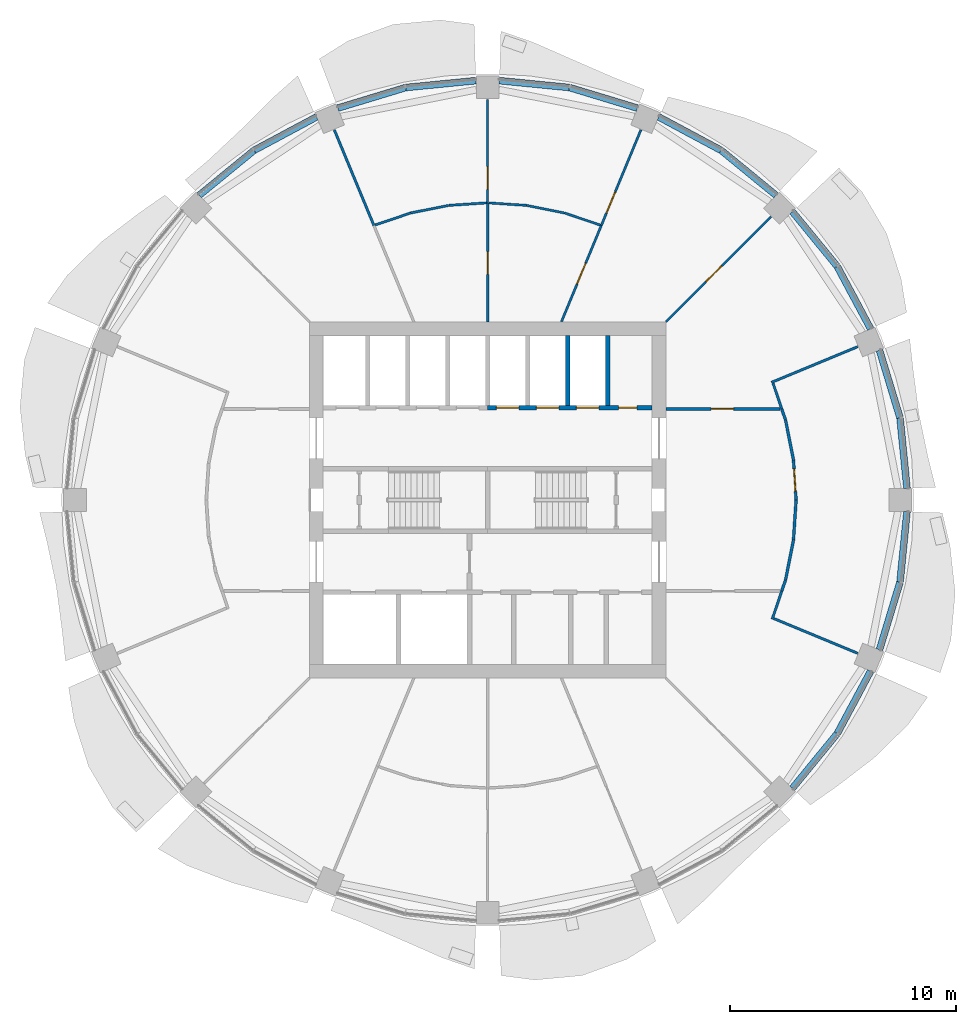
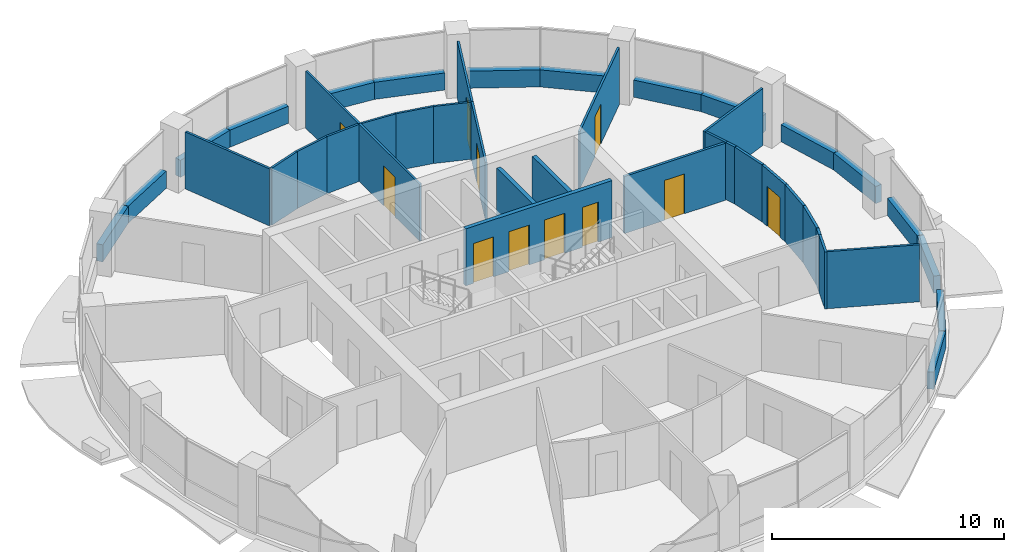
# One storey, part 10 of 15: 42 walls, 11 doors, 11 openings.
"""IFC4 building model written with IfcOpenShell, lengths in metres."""

import ifcopenshell
import ifcopenshell.guid

model = None  # the IFC model being written
_history = None  # IfcOwnerHistory: only IFC2X3 demands one
_inside = {}  # id of a spatial element -> (the spatial element, [elements in it])
_under = {}  # id of a project, library or spatial element -> (it, [spatial elements below it])
_declared = {}  # id of a project -> (the project, [libraries it declares])
_typed = {}  # id of a type object -> (the type object, [elements of that type])
_made_of = {}  # id of a material, layer set ... -> (it, [elements and type objects made of it])


def new_model(schema):
    """Start an empty IFC model of exactly this schema.

    Asked for "IFC4X3", IfcOpenShell would pick the latest addendum, in which some entities
    have other attributes; the version numbers below select the first issue.
    IFC2X3 requires an IfcOwnerHistory on every rooted entity: one is made here for all.
    """
    global model, _history
    if schema == "IFC4X3":
        model = ifcopenshell.file(schema_version=(4, 3, 0, 0))
    else:
        model = ifcopenshell.file(schema=schema)
    _inside.clear()
    _under.clear()
    _declared.clear()
    _typed.clear()
    _made_of.clear()
    _history = None
    if model.schema == "IFC2X3":
        org = make("IfcOrganization", Name="unknown")
        user = make(
            "IfcPersonAndOrganization",
            ThePerson=make("IfcPerson", FamilyName="unknown"),
            TheOrganization=org,
        )
        app = make(
            "IfcApplication",
            ApplicationDeveloper=org,
            Version="unknown",
            ApplicationFullName="unknown",
            ApplicationIdentifier="unknown",
        )
        _history = make(
            "IfcOwnerHistory",
            OwningUser=user,
            OwningApplication=app,
            ChangeAction="ADDED",
            CreationDate=0,
        )
    return model


def make(cls, **values):
    """One entity of the class cls with the attributes given. An attribute that is None is left unset."""
    return model.create_entity(
        cls, **{name: value for name, value in values.items() if value is not None}
    )


def rooted(cls, **values):
    """An entity with a GlobalId (a new one), such as an element, a storey or a relation."""
    return make(cls, GlobalId=ifcopenshell.guid.new(), OwnerHistory=_history, **values)


def si_unit(unit_type, name, prefix=None):
    """IfcSIUnit, for example si_unit("LENGTHUNIT", "METRE", prefix="MILLI")."""
    return make("IfcSIUnit", UnitType=unit_type, Prefix=prefix, Name=name)


def assignment(units):
    """IfcUnitAssignment: the units of a project."""
    return None if units is None else make("IfcUnitAssignment", Units=units)


def point(xyz):
    """IfcCartesianPoint."""
    return None if xyz is None else make("IfcCartesianPoint", Coordinates=xyz)


def direction(xyz):
    """IfcDirection."""
    return None if xyz is None else make("IfcDirection", DirectionRatios=xyz)


def frame(location, z_axis=None, x_axis=None):
    """IfcAxis2Placement3D, a coordinate frame: its origin and axes. An axis left out is left unset."""
    return make(
        "IfcAxis2Placement3D",
        Location=point(location),
        Axis=direction(z_axis),
        RefDirection=direction(x_axis),
    )


def frame_2d(location, x_axis=None):
    """IfcAxis2Placement2D, a coordinate frame in the plane: its origin and x axis."""
    return make(
        "IfcAxis2Placement2D", Location=point(location), RefDirection=direction(x_axis)
    )


def origin():
    """The frame at (0, 0, 0) with its axes left unset."""
    return frame((0.0, 0.0, 0.0))


def place(relative_to, where):
    """IfcLocalPlacement: puts the frame where relative to a parent placement (None: the world)."""
    return make(
        "IfcLocalPlacement", PlacementRelTo=relative_to, RelativePlacement=where
    )


def context(
    kind, dimensions, precision=None, world=None, true_north=None, identifier=None
):
    """IfcGeometricRepresentationContext, for example the 3D "Model" context."""
    return make(
        "IfcGeometricRepresentationContext",
        ContextIdentifier=identifier,
        ContextType=kind,
        CoordinateSpaceDimension=dimensions,
        Precision=precision,
        WorldCoordinateSystem=world,
        TrueNorth=true_north,
    )


def subcontext(parent, identifier, kind, view, scale=None):
    """IfcGeometricRepresentationSubContext, for example "Body" below "Model"."""
    return make(
        "IfcGeometricRepresentationSubContext",
        ContextIdentifier=identifier,
        ContextType=kind,
        ParentContext=parent,
        TargetScale=scale,
        TargetView=view,
    )


def project(units=None, contexts=None):
    """IfcProject with its units and contexts."""
    return rooted(
        "IfcProject",
        Name="project",
        RepresentationContexts=contexts,
        UnitsInContext=assignment(units),
    )


def spatial(cls, under=None, at=None, **own):
    """A site, building, storey or space (cls), placed at a placement, below another one or the project."""
    s = rooted(cls, ObjectPlacement=at, **own)
    if under is not None:
        _under.setdefault(under.id(), (under, []))[1].append(s)
    return s


def profile(cls, at=None, kind="AREA", **sizes):
    """A parametric profile (cls). Its sizes go by their IFC names, for example OverallWidth=200.0."""
    return make(cls, ProfileType=kind, Position=at, **sizes)


def rectangle(**sizes):
    """IfcRectangleProfileDef."""
    return profile("IfcRectangleProfileDef", **sizes)


def extrude(swept, where, along, depth):
    """IfcExtrudedAreaSolid: the profile swept, set in the frame where, extruded along a direction by depth."""
    return make(
        "IfcExtrudedAreaSolid",
        SweptArea=swept,
        Position=where,
        ExtrudedDirection=direction(along),
        Depth=depth,
    )


def shape(context_of_items, identifier, shape_type, items):
    """IfcShapeRepresentation: the items that make up one representation, for example the "Body"."""
    return make(
        "IfcShapeRepresentation",
        ContextOfItems=context_of_items,
        RepresentationIdentifier=identifier,
        RepresentationType=shape_type,
        Items=items,
    )


def material(Name=None, Category=None):
    """IfcMaterial."""
    return make("IfcMaterial", Name=Name, Category=Category)


def layer(
    of_material, thickness, ventilated=None, Name=None, Category=None, Priority=None
):
    """IfcMaterialLayer: one layer of a wall or slab, of a material (None: an air gap)."""
    return make(
        "IfcMaterialLayer",
        Material=of_material,
        LayerThickness=thickness,
        IsVentilated=ventilated,
        Name=Name,
        Category=Category,
        Priority=Priority,
    )


def layer_set(layers, Name=None):
    """IfcMaterialLayerSet."""
    return make("IfcMaterialLayerSet", MaterialLayers=layers, LayerSetName=Name)


def made_of(thing, what):
    """Note that an element or type object is made of a material, layer set ...; save() writes the relation."""
    if what is not None:
        _made_of.setdefault(what.id(), (what, []))[1].append(thing)
    return thing


def type_object(cls, material=None, **own):
    """A type object (cls), such as IfcWallType, which elements share."""
    return made_of(rooted(cls, **own), material)


def element(
    cls,
    number,
    at=None,
    inside=None,
    cuts=None,
    type_object=None,
    material=None,
    context=None,
    identifier="Body",
    shape_type=None,
    held_by="IfcProductDefinitionShape",
    body=None,
    shapes=None,
    **own,
):
    """One element of the class cls, such as IfcWall. Its Tag is "e" and its number.

    at: its placement. inside: the storey or other place that contains it. cuts: it is an
    opening in that element (IfcRelVoidsElement). A single representation is given by context,
    identifier, shape_type and body (its items); several are given by shapes. held_by: the class
    of the entity that holds the representations. save() writes the other relations.
    """
    e = rooted(cls, Tag="e%d" % number, ObjectPlacement=at, **own)
    if body is not None:
        shapes = [shape(context, identifier, shape_type, body)]
    if shapes is not None:
        e.Representation = make(held_by, Representations=shapes)
    if inside is not None:
        _inside.setdefault(inside.id(), (inside, []))[1].append(e)
    if cuts is not None:
        rooted(
            "IfcRelVoidsElement", RelatingBuildingElement=cuts, RelatedOpeningElement=e
        )
    if type_object is not None:
        _typed.setdefault(type_object.id(), (type_object, []))[1].append(e)
    return made_of(e, material)


def fill(opening, filler):
    """IfcRelFillsElement: the door or window that sits in an opening."""
    return rooted(
        "IfcRelFillsElement",
        RelatingOpeningElement=opening,
        RelatedBuildingElement=filler,
    )


def aggregate(whole, parts):
    """IfcRelAggregates: a whole, such as a stair, and the parts it consists of."""
    return rooted("IfcRelAggregates", RelatingObject=whole, RelatedObjects=parts)


def save(model, path):
    """Write the relations noted so far, then the file.

    IfcRelAggregates (storeys below a building ...), IfcRelContainedInSpatialStructure (elements
    in a storey), IfcRelDefinesByType, IfcRelAssociatesMaterial and IfcRelDeclares: one each for
    every whole, place, type object, material and project.
    """
    for whole, parts in _under.values():
        aggregate(whole, parts)
    for where, things in _inside.values():
        rooted(
            "IfcRelContainedInSpatialStructure",
            RelatedElements=things,
            RelatingStructure=where,
        )
    for kind, things in _typed.values():
        rooted("IfcRelDefinesByType", RelatedObjects=things, RelatingType=kind)
    for what, things in _made_of.values():
        rooted("IfcRelAssociatesMaterial", RelatedObjects=things, RelatingMaterial=what)
    for by, libraries in _declared.values():
        rooted("IfcRelDeclares", RelatingContext=by, RelatedDefinitions=libraries)
    model.write(path)


model = new_model("IFC4")

# Units and contexts
model_context = context("Model", 3, precision=1e-05, world=origin(), true_north=direction((0.0, 1.0)))
body_context = subcontext(model_context, "Body", "Model", "MODEL_VIEW")
ifc_project = project(units=[si_unit("LENGTHUNIT", "METRE"), si_unit("AREAUNIT", "SQUARE_METRE"), si_unit("VOLUMEUNIT", "CUBIC_METRE"), si_unit("PLANEANGLEUNIT", "RADIAN"), si_unit("MASSUNIT", "GRAM", prefix="KILO")], contexts=[model_context])

# Site, building, storey
site_placement = place(None, origin())
site = spatial("IfcSite", under=ifc_project, at=site_placement, CompositionType="ELEMENT")
building_placement = place(site_placement, origin())
building = spatial("IfcBuilding", under=site, at=building_placement, Name="Polderwave Tower", CompositionType="ELEMENT")
storey_placement = place(building_placement, frame((0.0, 0.0, 154.449951171875)))
storey = spatial("IfcBuildingStorey", under=building, at=storey_placement, Name="L41", CompositionType="ELEMENT", Elevation=154.449951171875)

# Walls
ifc_material_1 = material(Name="Concrete C50/60 (board-marked)", Category="concrete")
ifc_layer_1 = layer(ifc_material_1, 0.300048828125)
ifc_layer_set_1 = layer_set([ifc_layer_1], Name="Concrete spandrel upstand C50/60")
wall_type_1 = type_object("IfcWallType", Name="Concrete spandrel upstand C50/60", PredefinedType="SOLIDWALL", material=ifc_layer_set_1)
wall_1_placement = place(storey_placement, frame((18.529541015625, 0.513916015625, 0.0), z_axis=(0.0, 0.0, 1.0), x_axis=(-0.098011857239, 0.995185246997, 0.0)))
element("IfcWall", 1, at=wall_1_placement, inside=storey, type_object=wall_type_1, Name="Spandrel L41 1a", PredefinedType="SOLIDWALL", context=body_context, shape_type="SweptSolid", body=[
    extrude(rectangle(XDim=3.111083984375, YDim=0.300048828125, at=frame_2d((1.5556640625, 0.0))), origin(), (0.0, 0.0, 1.0), 0.900146484375),
])
wall_2_placement = place(storey_placement, frame((18.218505859375, 3.639404296875, 0.0), z_axis=(0.0, 0.0, 1.0), x_axis=(-0.29026219948, 0.956947154002, 0.0)))
element("IfcWall", 2, at=wall_2_placement, inside=storey, type_object=wall_type_1, Name="Spandrel L41 1b", PredefinedType="SOLIDWALL", context=body_context, shape_type="SweptSolid", body=[
    extrude(rectangle(XDim=3.111328125, YDim=0.300048828125, at=frame_2d((1.5556640625, 0.0))), origin(), (0.0, 0.0, 1.0), 0.900146484375),
])
wall_3_placement = place(storey_placement, frame((16.921875, 7.565185546875, 0.0), z_axis=(0.0, 0.0, 1.0), x_axis=(-0.471467771589, 0.881883291798, 0.0)))
element("IfcWall", 3, at=wall_3_placement, inside=storey, type_object=wall_type_1, Name="Spandrel L41 2a", PredefinedType="SOLIDWALL", context=body_context, shape_type="SweptSolid", body=[
    extrude(rectangle(XDim=3.111083984375, YDim=0.300048828125, at=frame_2d((1.5556640625, 0.0))), origin(), (0.0, 0.0, 1.0), 0.900146484375),
])
for number, where, z_axis, x_axis, name in (
    (4, (15.4384765625, 10.33349609375, 0.0), (0.0, 0.0, 1.0), (-0.634074896441, 0.773271637721, 0.0), "Spandrel L41 2b"),
    (5, (12.739501953125, 13.465576171875, 0.0), (0.0, 0.0, 1.0), (-0.773271637721, 0.634074896441, 0.0), "Spandrel L41 3a"),
):
    element("IfcWall", number, at=place(storey_placement, frame(where, z_axis=z_axis, x_axis=x_axis)), inside=storey, type_object=wall_type_1, Name=name, PredefinedType="SOLIDWALL", context=body_context, shape_type="SweptSolid", body=[
        extrude(rectangle(XDim=3.111572265625, YDim=0.300048828125, at=frame_2d((1.5556640625, 0.0))), origin(), (0.0, 0.0, 1.0), 0.900146484375),
    ])
wall_4_placement = place(storey_placement, frame((10.308837890625, 15.455078125, 0.0), z_axis=(0.0, 0.0, 1.0), x_axis=(-0.881883291798, 0.471467771589, 0.0)))
element("IfcWall", 6, at=wall_4_placement, inside=storey, type_object=wall_type_1, Name="Spandrel L41 3b", PredefinedType="SOLIDWALL", context=body_context, shape_type="SweptSolid", body=[
    extrude(rectangle(XDim=3.111083984375, YDim=0.300048828125, at=frame_2d((1.5556640625, 0.0))), origin(), (0.0, 0.0, 1.0), 0.900146484375),
])
wall_5_placement = place(storey_placement, frame((6.61669921875, 17.3154296875, 0.0), z_axis=(0.0, 0.0, 1.0), x_axis=(-0.956947154002, 0.29026219948, 0.0)))
element("IfcWall", 7, at=wall_5_placement, inside=storey, type_object=wall_type_1, Name="Spandrel L41 4a", PredefinedType="SOLIDWALL", context=body_context, shape_type="SweptSolid", body=[
    extrude(rectangle(XDim=3.111328125, YDim=0.300048828125, at=frame_2d((1.5556640625, 0.0))), origin(), (0.0, 0.0, 1.0), 0.900146484375),
])
for number, where, z_axis, x_axis, name in (
    (8, (3.610107421875, 18.224609375, 0.0), (0.0, 0.0, 1.0), (-0.995185246997, 0.098011857239, 0.0), "Spandrel L41 4b"),
    (9, (-0.513916015625, 18.529541015625, 0.0), (0.0, 0.0, 1.0), (-0.995185246997, -0.098011857239, 0.0), "Spandrel L41 5a"),
):
    element("IfcWall", number, at=place(storey_placement, frame(where, z_axis=z_axis, x_axis=x_axis)), inside=storey, type_object=wall_type_1, Name=name, PredefinedType="SOLIDWALL", context=body_context, shape_type="SweptSolid", body=[
        extrude(rectangle(XDim=3.111083984375, YDim=0.300048828125, at=frame_2d((1.5556640625, 0.0))), origin(), (0.0, 0.0, 1.0), 0.900146484375),
    ])
wall_6_placement = place(storey_placement, frame((-3.639404296875, 18.218505859375, 0.0), z_axis=(0.0, 0.0, 1.0), x_axis=(-0.956947154002, -0.29026219948, 0.0)))
element("IfcWall", 10, at=wall_6_placement, inside=storey, type_object=wall_type_1, Name="Spandrel L41 5b", PredefinedType="SOLIDWALL", context=body_context, shape_type="SweptSolid", body=[
    extrude(rectangle(XDim=3.111328125, YDim=0.300048828125, at=frame_2d((1.5556640625, 0.0))), origin(), (0.0, 0.0, 1.0), 0.900146484375),
])
wall_7_placement = place(storey_placement, frame((-7.565185546875, 16.921875, 0.0), z_axis=(0.0, 0.0, 1.0), x_axis=(-0.881883291798, -0.471467771589, 0.0)))
element("IfcWall", 11, at=wall_7_placement, inside=storey, type_object=wall_type_1, Name="Spandrel L41 6a", PredefinedType="SOLIDWALL", context=body_context, shape_type="SweptSolid", body=[
    extrude(rectangle(XDim=3.111083984375, YDim=0.300048828125, at=frame_2d((1.5556640625, 0.0))), origin(), (0.0, 0.0, 1.0), 0.900146484375),
])
for number, where, z_axis, x_axis, name in (
    (12, (-10.33349609375, 15.4384765625, 0.0), (0.0, 0.0, 1.0), (-0.773271637721, -0.634074896441, 0.0), "Spandrel L41 6b"),
    (13, (13.465576171875, -12.739501953125, 0.0), (0.0, 0.0, 1.0), (0.634074896441, 0.773271637721, 0.0), "Spandrel L41 15a"),
):
    element("IfcWall", number, at=place(storey_placement, frame(where, z_axis=z_axis, x_axis=x_axis)), inside=storey, type_object=wall_type_1, Name=name, PredefinedType="SOLIDWALL", context=body_context, shape_type="SweptSolid", body=[
        extrude(rectangle(XDim=3.111572265625, YDim=0.300048828125, at=frame_2d((1.5556640625, 0.0))), origin(), (0.0, 0.0, 1.0), 0.900146484375),
    ])
wall_8_placement = place(storey_placement, frame((15.455078125, -10.308837890625, 0.0), z_axis=(0.0, 0.0, 1.0), x_axis=(0.471467771589, 0.881883291798, 0.0)))
element("IfcWall", 14, at=wall_8_placement, inside=storey, type_object=wall_type_1, Name="Spandrel L41 15b", PredefinedType="SOLIDWALL", context=body_context, shape_type="SweptSolid", body=[
    extrude(rectangle(XDim=3.111083984375, YDim=0.300048828125, at=frame_2d((1.5556640625, 0.0))), origin(), (0.0, 0.0, 1.0), 0.900146484375),
])
wall_9_placement = place(storey_placement, frame((17.3154296875, -6.61669921875, 0.0), z_axis=(0.0, 0.0, 1.0), x_axis=(0.29026219948, 0.956947154002, 0.0)))
element("IfcWall", 15, at=wall_9_placement, inside=storey, type_object=wall_type_1, Name="Spandrel L41 16a", PredefinedType="SOLIDWALL", context=body_context, shape_type="SweptSolid", body=[
    extrude(rectangle(XDim=3.111328125, YDim=0.300048828125, at=frame_2d((1.5556640625, 0.0))), origin(), (0.0, 0.0, 1.0), 0.900146484375),
])
wall_10_placement = place(storey_placement, frame((18.224609375, -3.610107421875, 0.0), z_axis=(0.0, 0.0, 1.0), x_axis=(0.098011857239, 0.995185246997, 0.0)))
element("IfcWall", 16, at=wall_10_placement, inside=storey, type_object=wall_type_1, Name="Spandrel L41 16b", PredefinedType="SOLIDWALL", context=body_context, shape_type="SweptSolid", body=[
    extrude(rectangle(XDim=3.111083984375, YDim=0.300048828125, at=frame_2d((1.5556640625, 0.0))), origin(), (0.0, 0.0, 1.0), 0.900146484375),
])

# Wall, openings, doors
ifc_material_2 = material(Name="Concrete C50/60", Category="concrete")
ifc_layer_2 = layer(ifc_material_2, 0.199951171875)
ifc_layer_set_2 = layer_set([ifc_layer_2], Name="Core web wall 200")
wall_type_2 = type_object("IfcWallType", Name="Core web wall 200", PredefinedType="SHEAR", material=ifc_layer_set_2)
wall_11_placement = place(storey_placement, frame((0.0, 4.073974609375, 0.0), z_axis=(0.0, 0.0, 1.0), x_axis=(1.0, 0.0, 0.0)))
wall_11 = element("IfcWall", 17, at=wall_11_placement, inside=storey, type_object=wall_type_2, Name="L41 north front wall 2", PredefinedType="SHEAR", context=body_context, shape_type="SweptSolid", body=[
    extrude(rectangle(XDim=7.27392578125, YDim=0.199951171875, at=frame_2d((3.636962890625, 0.0))), origin(), (0.0, 0.0, 1.0), 3.0),
])
opening_1_placement = place(wall_11_placement, frame((0.38427734375, 0.0, 0.0)))
opening_1 = element("IfcOpeningElement", 18, at=opening_1_placement, cuts=wall_11, Name="Opening L41-D07", PredefinedType="OPENING", context=body_context, shape_type="SweptSolid", body=[
    extrude(rectangle(XDim=1.0, YDim=2.10009765625, at=frame_2d((0.5, 1.050048828125))), frame((0.0, 0.10986328125, 0.0), z_axis=(0.0, -1.0, 0.0), x_axis=(1.0, 0.0, 0.0)), (0.0, 0.0, 1.0), 0.219970703125),
])
opening_2_placement = place(wall_11_placement, frame((2.15283203125, 0.0, 0.0)))
opening_2 = element("IfcOpeningElement", 19, at=opening_2_placement, cuts=wall_11, Name="Opening L41-D08", PredefinedType="OPENING", context=body_context, shape_type="SweptSolid", body=[
    extrude(rectangle(XDim=1.0, YDim=2.10009765625, at=frame_2d((0.5, 1.050048828125))), frame((0.0, 0.10986328125, 0.0), z_axis=(0.0, -1.0, 0.0), x_axis=(1.0, 0.0, 0.0)), (0.0, 0.0, 1.0), 0.219970703125),
])
opening_3_placement = place(wall_11_placement, frame((3.921142578125, 0.0, 0.0)))
opening_3 = element("IfcOpeningElement", 20, at=opening_3_placement, cuts=wall_11, Name="Opening L41-D09", PredefinedType="OPENING", context=body_context, shape_type="SweptSolid", body=[
    extrude(rectangle(XDim=1.0, YDim=2.10009765625, at=frame_2d((0.5, 1.050048828125))), frame((0.0, 0.10986328125, 0.0), z_axis=(0.0, -1.0, 0.0), x_axis=(1.0, 0.0, 0.0)), (0.0, 0.0, 1.0), 0.219970703125),
])
opening_4_placement = place(wall_11_placement, frame((5.789794921875, 0.0, 0.0)))
opening_4 = element("IfcOpeningElement", 21, at=opening_4_placement, cuts=wall_11, Name="Opening L41-D19", PredefinedType="OPENING", context=body_context, shape_type="SweptSolid", body=[
    extrude(rectangle(XDim=0.800048828125, YDim=2.10009765625, at=frame_2d((0.39990234375, 1.050048828125))), frame((0.0, 0.10986328125, 0.0), z_axis=(0.0, -1.0, 0.0), x_axis=(1.0, 0.0, 0.0)), (0.0, 0.0, 1.0), 0.219970703125),
])
ifc_material_3 = material(Name="Stainless steel", Category="steel")
door_type_1 = type_object("IfcDoorType", Name="Lift landing door 1000", OperationType="DOUBLE_DOOR_SLIDING", PredefinedType="DOOR", material=ifc_material_3)
door_1_placement = place(opening_1_placement, frame((1.0, 0.0, 0.0), z_axis=(0.0, 0.0, 1.0), x_axis=(-1.0, 0.0, 0.0)))
door_1 = element("IfcDoor", 22, at=door_1_placement, inside=storey, type_object=door_type_1, Name="Lift HL5 landing door", OperationType="DOUBLE_DOOR_SLIDING", OverallHeight=2.10009765625, OverallWidth=1.0, PredefinedType="DOOR", context=body_context, shape_type="SweptSolid", body=[
    extrude(rectangle(XDim=1.0, YDim=2.10009765625, at=frame_2d((0.5, 1.050048828125))), frame((0.0, 0.02490234375, 0.0), z_axis=(0.0, -1.0, 0.0), x_axis=(1.0, 0.0, 0.0)), (0.0, 0.0, 1.0), 0.050048828125),
])
fill(opening_1, door_1)
door_2_placement = place(opening_2_placement, frame((1.0, 0.0, 0.0), z_axis=(0.0, 0.0, 1.0), x_axis=(-1.0, 0.0, 0.0)))
door_2 = element("IfcDoor", 23, at=door_2_placement, inside=storey, type_object=door_type_1, Name="Lift HL6 landing door", OperationType="DOUBLE_DOOR_SLIDING", OverallHeight=2.10009765625, OverallWidth=1.0, PredefinedType="DOOR", context=body_context, shape_type="SweptSolid", body=[
    extrude(rectangle(XDim=1.0, YDim=2.10009765625, at=frame_2d((0.5, 1.050048828125))), frame((0.0, 0.02490234375, 0.0), z_axis=(0.0, -1.0, 0.0), x_axis=(1.0, 0.0, 0.0)), (0.0, 0.0, 1.0), 0.050048828125),
])
fill(opening_2, door_2)
door_3_placement = place(opening_3_placement, frame((1.0, 0.0, 0.0), z_axis=(0.0, 0.0, 1.0), x_axis=(-1.0, 0.0, 0.0)))
door_3 = element("IfcDoor", 24, at=door_3_placement, inside=storey, type_object=door_type_1, Name="Lift HL7 landing door", OperationType="DOUBLE_DOOR_SLIDING", OverallHeight=2.10009765625, OverallWidth=1.0, PredefinedType="DOOR", context=body_context, shape_type="SweptSolid", body=[
    extrude(rectangle(XDim=1.0, YDim=2.10009765625, at=frame_2d((0.5, 1.050048828125))), frame((0.0, 0.02490234375, 0.0), z_axis=(0.0, -1.0, 0.0), x_axis=(1.0, 0.0, 0.0)), (0.0, 0.0, 1.0), 0.050048828125),
])
fill(opening_3, door_3)
ifc_material_4 = material(Name="Steel fire door", Category="steel")
door_type_2 = type_object("IfcDoorType", Name="Riser door 800", OperationType="NOTDEFINED", PredefinedType="DOOR", material=ifc_material_4)
door_4_placement = place(opening_4_placement, frame((0.800048828125, 0.0, 0.0), z_axis=(0.0, 0.0, 1.0), x_axis=(-1.0, 0.0, 0.0)))
door_4 = element("IfcDoor", 25, at=door_4_placement, inside=storey, type_object=door_type_2, Name="Riser door", OperationType="SINGLE_SWING_LEFT", OverallHeight=2.10009765625, OverallWidth=0.800048828125, PredefinedType="DOOR", context=body_context, shape_type="SweptSolid", body=[
    extrude(rectangle(XDim=0.800048828125, YDim=2.10009765625, at=frame_2d((0.39990234375, 1.050048828125))), frame((0.0, 0.02490234375, 0.0), z_axis=(0.0, -1.0, 0.0), x_axis=(1.0, 0.0, 0.0)), (0.0, 0.0, 1.0), 0.050048828125),
])
fill(opening_4, door_4)

# Walls
ifc_material_5 = material(Name="Fire-resisting board on steel studs", Category="steel")
ifc_layer_3 = layer(ifc_material_5, 0.125)
ifc_layer_set_3 = layer_set([ifc_layer_3], Name="Corridor wall 125 mm EI 60")
wall_type_3 = type_object("IfcWallType", Name="Corridor wall 125 mm EI 60", PredefinedType="PARTITIONING", material=ifc_layer_set_3)
for number, where, z_axis, x_axis, name in (
    (26, (12.996826171875, 4.0244140625, 0.0), (0.0, 0.0, 1.0), (0.321709356611, -0.946838470843, 0.0), "IN-L41-W001"),
    (27, (13.164306640625, -3.531494140625, 0.0), (0.0, 0.0, 1.0), (-0.321709356611, -0.946838470843, 0.0), "IN-L41-W002"),
):
    element("IfcWall", number, at=place(storey_placement, frame(where, z_axis=z_axis, x_axis=x_axis)), inside=storey, type_object=wall_type_3, Name=name, PredefinedType="PARTITIONING", context=body_context, shape_type="SweptSolid", body=[
        extrude(rectangle(XDim=0.5205078125, YDim=0.125, at=frame_2d((0.26025390625, 0.0))), origin(), (0.0, 0.0, 1.0), 3.0),
    ])
for number, where, z_axis, x_axis, name in (
    (28, (13.16650390625, 3.523681640625, 0.0), (0.0, 0.0, 1.0), (0.195084198994, -0.980786498328, 0.0), "IN-L41-W003"),
    (29, (13.5126953125, -1.783203125, 0.0), (0.0, 0.0, 1.0), (-0.195084198994, -0.980786498328, 0.0), "IN-L41-W004"),
):
    element("IfcWall", number, at=place(storey_placement, frame(where, z_axis=z_axis, x_axis=x_axis)), inside=storey, type_object=wall_type_3, Name=name, PredefinedType="PARTITIONING", context=body_context, shape_type="SweptSolid", body=[
        extrude(rectangle(XDim=1.774658203125, YDim=0.125, at=frame_2d((0.88720703125, 0.0))), origin(), (0.0, 0.0, 1.0), 3.0),
    ])

# Wall, opening, door
wall_12_placement = place(storey_placement, frame((13.513671875, 1.77490234375, 0.0), z_axis=(0.0, 0.0, 1.0), x_axis=(0.065350149908, -0.997862394274, 0.0)))
wall_12 = element("IfcWall", 30, at=wall_12_placement, inside=storey, type_object=wall_type_3, Name="IN-L41-W005", PredefinedType="PARTITIONING", context=body_context, shape_type="SweptSolid", body=[
    extrude(rectangle(XDim=1.774658203125, YDim=0.125, at=frame_2d((0.88720703125, 0.0))), origin(), (0.0, 0.0, 1.0), 3.0),
])
opening_5_placement = place(wall_12_placement, frame((0.39990234375, 0.0, 0.0)))
opening_5 = element("IfcOpeningElement", 31, at=opening_5_placement, cuts=wall_12, Name="Opening L41-D50", PredefinedType="OPENING", context=body_context, shape_type="SweptSolid", body=[
    extrude(rectangle(XDim=1.0, YDim=2.10009765625, at=frame_2d((0.5, 1.050048828125))), frame((0.0, 0.072509765625, 0.0), z_axis=(0.0, -1.0, 0.0), x_axis=(1.0, 0.0, 0.0)), (0.0, 0.0, 1.0), 0.14501953125),
])
ifc_material_6 = material(Name="Timber fire door leaf", Category="wood")
door_type_3 = type_object("IfcDoorType", Name="Fire door FD30S 1000 x 2100", OperationType="NOTDEFINED", PredefinedType="DOOR", material=ifc_material_6)
door_5_placement = place(opening_5_placement, origin())
door_5 = element("IfcDoor", 32, at=door_5_placement, inside=storey, type_object=door_type_3, Name="Door L41-D50", OperationType="SINGLE_SWING_RIGHT", OverallHeight=2.10009765625, OverallWidth=1.0, PredefinedType="DOOR", context=body_context, shape_type="SweptSolid", body=[
    extrude(rectangle(XDim=1.0, YDim=2.10009765625, at=frame_2d((0.5, 1.050048828125))), frame((0.0, 0.02490234375, 0.0), z_axis=(0.0, -1.0, 0.0), x_axis=(1.0, 0.0, 0.0)), (0.0, 0.0, 1.0), 0.050048828125),
])
fill(opening_5, door_5)

# Wall
wall_13_placement = place(storey_placement, frame((13.629638671875, -0.004150390625, 0.0), z_axis=(0.0, 0.0, 1.0), x_axis=(-0.065350149908, -0.997862394274, 0.0)))
element("IfcWall", 33, at=wall_13_placement, inside=storey, type_object=wall_type_3, Name="IN-L41-W006", PredefinedType="PARTITIONING", context=body_context, shape_type="SweptSolid", body=[
    extrude(rectangle(XDim=1.774658203125, YDim=0.125, at=frame_2d((0.88720703125, 0.0))), origin(), (0.0, 0.0, 1.0), 3.0),
])

# Wall, opening, door
wall_14_placement = place(storey_placement, frame((7.8740234375, 4.0244140625, 0.0), z_axis=(0.0, 0.0, 1.0), x_axis=(1.0, 0.0, 0.0)))
wall_14 = element("IfcWall", 34, at=wall_14_placement, inside=storey, type_object=wall_type_3, Name="IN-L41-W007", PredefinedType="PARTITIONING", context=body_context, shape_type="SweptSolid", body=[
    extrude(rectangle(XDim=5.03564453125, YDim=0.125, at=frame_2d((2.517822265625, 0.0))), origin(), (0.0, 0.0, 1.0), 3.0),
])
opening_6_placement = place(wall_14_placement, frame((2.0, 0.0, 0.0)))
opening_6 = element("IfcOpeningElement", 35, at=opening_6_placement, cuts=wall_14, Name="Opening L41-D51", PredefinedType="OPENING", context=body_context, shape_type="SweptSolid", body=[
    extrude(rectangle(XDim=1.0, YDim=2.10009765625, at=frame_2d((0.5, 1.050048828125))), frame((0.0, 0.072509765625, 0.0), z_axis=(0.0, -1.0, 0.0), x_axis=(1.0, 0.0, 0.0)), (0.0, 0.0, 1.0), 0.14501953125),
])
door_6_placement = place(opening_6_placement, origin())
door_6 = element("IfcDoor", 36, at=door_6_placement, inside=storey, type_object=door_type_3, Name="Door L41-D51", OperationType="SINGLE_SWING_LEFT", OverallHeight=2.10009765625, OverallWidth=1.0, PredefinedType="DOOR", context=body_context, shape_type="SweptSolid", body=[
    extrude(rectangle(XDim=1.0, YDim=2.10009765625, at=frame_2d((0.5, 1.050048828125))), frame((0.0, 0.02490234375, 0.0), z_axis=(0.0, -1.0, 0.0), x_axis=(1.0, 0.0, 0.0)), (0.0, 0.0, 1.0), 0.050048828125),
])
fill(opening_6, door_6)

ifc_material_7 = material(Name="Plasterboard on steel studs", Category="steel")
ifc_layer_4 = layer(ifc_material_7, 0.10009765625)
ifc_layer_set_4 = layer_set([ifc_layer_4], Name="Partition 100 mm plasterboard on steel studs")
wall_type_4 = type_object("IfcWallType", Name="Partition 100 mm plasterboard on steel studs", PredefinedType="PARTITIONING", material=ifc_layer_set_4)
wall_15_placement = place(storey_placement, frame((7.8740234375, 7.8740234375, 0.0), z_axis=(0.0, 0.0, 1.0), x_axis=(0.707106781187, 0.707106781187, 0.0)))
wall_15 = element("IfcWall", 37, at=wall_15_placement, inside=storey, type_object=wall_type_4, Name="IN-L41-W021", PredefinedType="PARTITIONING", context=body_context, shape_type="SweptSolid", body=[
    extrude(rectangle(XDim=6.564453125, YDim=0.10009765625, at=frame_2d((3.2822265625, 0.0))), origin(), (0.0, 0.0, 1.0), 3.0),
])
opening_7_placement = place(wall_15_placement, frame((2.5, 0.0, 0.0)))
opening_7 = element("IfcOpeningElement", 38, at=opening_7_placement, cuts=wall_15, Name="Opening L41-D56", PredefinedType="OPENING", context=body_context, shape_type="SweptSolid", body=[
    extrude(rectangle(XDim=1.0, YDim=2.10009765625, at=frame_2d((0.5, 1.050048828125))), frame((0.0, 0.06005859375, 0.0), z_axis=(0.0, -1.0, 0.0), x_axis=(1.0, 0.0, 0.0)), (0.0, 0.0, 1.0), 0.1201171875),
])
ifc_material_8 = material(Name="Timber veneer door leaf", Category="wood")
door_type_4 = type_object("IfcDoorType", Name="Single door 1000 x 2100", OperationType="NOTDEFINED", PredefinedType="DOOR", material=ifc_material_8)
door_7_placement = place(opening_7_placement, origin())
door_7 = element("IfcDoor", 39, at=door_7_placement, inside=storey, type_object=door_type_4, Name="Door L41-D56", OperationType="SINGLE_SWING_LEFT", OverallHeight=2.10009765625, OverallWidth=1.0, PredefinedType="DOOR", context=body_context, shape_type="SweptSolid", body=[
    extrude(rectangle(XDim=1.0, YDim=2.10009765625, at=frame_2d((0.5, 1.050048828125))), frame((0.0, 0.02490234375, 0.0), z_axis=(0.0, -1.0, 0.0), x_axis=(1.0, 0.0, 0.0)), (0.0, 0.0, 1.0), 0.050048828125),
])
fill(opening_7, door_7)

wall_16_placement = place(storey_placement, frame((3.261474609375, 7.8740234375, 0.0), z_axis=(0.0, 0.0, 1.0), x_axis=(0.382691869474, 0.923876037701, 0.0)))
wall_16 = element("IfcWall", 40, at=wall_16_placement, inside=storey, type_object=wall_type_4, Name="IN-L41-W022", PredefinedType="PARTITIONING", context=body_context, shape_type="SweptSolid", body=[
    extrude(rectangle(XDim=4.607421875, YDim=0.10009765625, at=frame_2d((2.3037109375, 0.0))), origin(), (0.0, 0.0, 1.0), 3.0),
])
opening_8_placement = place(wall_16_placement, frame((1.800048828125, 0.0, 0.0)))
opening_8 = element("IfcOpeningElement", 41, at=opening_8_placement, cuts=wall_16, Name="Opening L41-D57", PredefinedType="OPENING", context=body_context, shape_type="SweptSolid", body=[
    extrude(rectangle(XDim=1.0, YDim=2.10009765625, at=frame_2d((0.5, 1.050048828125))), frame((0.0, 0.06005859375, 0.0), z_axis=(0.0, -1.0, 0.0), x_axis=(1.0, 0.0, 0.0)), (0.0, 0.0, 1.0), 0.1201171875),
])
door_8_placement = place(opening_8_placement, origin())
door_8 = element("IfcDoor", 42, at=door_8_placement, inside=storey, type_object=door_type_4, Name="Door L41-D57", OperationType="SINGLE_SWING_LEFT", OverallHeight=2.10009765625, OverallWidth=1.0, PredefinedType="DOOR", context=body_context, shape_type="SweptSolid", body=[
    extrude(rectangle(XDim=1.0, YDim=2.10009765625, at=frame_2d((0.5, 1.050048828125))), frame((0.0, 0.02490234375, 0.0), z_axis=(0.0, -1.0, 0.0), x_axis=(1.0, 0.0, 0.0)), (0.0, 0.0, 1.0), 0.050048828125),
])
fill(opening_8, door_8)

wall_17_placement = place(storey_placement, frame((5.024658203125, 12.130615234375, 0.0), z_axis=(0.0, 0.0, 1.0), x_axis=(0.382664766489, 0.923887263949, 0.0)))
wall_17 = element("IfcWall", 43, at=wall_17_placement, inside=storey, type_object=wall_type_4, Name="IN-L41-W023", PredefinedType="PARTITIONING", context=body_context, shape_type="SweptSolid", body=[
    extrude(rectangle(XDim=4.570068359375, YDim=0.10009765625, at=frame_2d((2.28515625, 0.0))), origin(), (0.0, 0.0, 1.0), 3.0),
])
opening_9_placement = place(wall_17_placement, frame((0.60009765625, 0.0, 0.0)))
opening_9 = element("IfcOpeningElement", 44, at=opening_9_placement, cuts=wall_17, Name="Opening L41-D58", PredefinedType="OPENING", context=body_context, shape_type="SweptSolid", body=[
    extrude(rectangle(XDim=1.0, YDim=2.10009765625, at=frame_2d((0.5, 1.050048828125))), frame((0.0, 0.06005859375, 0.0), z_axis=(0.0, -1.0, 0.0), x_axis=(1.0, 0.0, 0.0)), (0.0, 0.0, 1.0), 0.1201171875),
])
door_9_placement = place(opening_9_placement, origin())
door_9 = element("IfcDoor", 45, at=door_9_placement, inside=storey, type_object=door_type_4, Name="Door L41-D58", OperationType="SINGLE_SWING_LEFT", OverallHeight=2.10009765625, OverallWidth=1.0, PredefinedType="DOOR", context=body_context, shape_type="SweptSolid", body=[
    extrude(rectangle(XDim=1.0, YDim=2.10009765625, at=frame_2d((0.5, 1.050048828125))), frame((0.0, 0.02490234375, 0.0), z_axis=(0.0, -1.0, 0.0), x_axis=(1.0, 0.0, 0.0)), (0.0, 0.0, 1.0), 0.050048828125),
])
fill(opening_9, door_9)

# Walls
wall_18_placement = place(storey_placement, frame((0.055908203125, 13.126220703125, 0.0), z_axis=(0.0, 0.0, 1.0), x_axis=(0.997860729897, -0.065375559108, 0.0)))
element("IfcWall", 46, at=wall_18_placement, inside=storey, type_object=wall_type_4, Name="IN-L41-W024", PredefinedType="PARTITIONING", context=body_context, shape_type="SweptSolid", body=[
    extrude(rectangle(XDim=1.658203125, YDim=0.10009765625, at=frame_2d((0.8291015625, 0.0))), origin(), (0.0, 0.0, 1.0), 3.0),
])
wall_19_placement = place(storey_placement, frame((1.717041015625, 13.01708984375, 0.0), z_axis=(0.0, 0.0, 1.0), x_axis=(0.980761373858, -0.195210469873, 0.0)))
element("IfcWall", 47, at=wall_19_placement, inside=storey, type_object=wall_type_4, Name="IN-L41-W025", PredefinedType="PARTITIONING", context=body_context, shape_type="SweptSolid", body=[
    extrude(rectangle(XDim=1.7109375, YDim=0.10009765625, at=frame_2d((0.85546875, 0.0))), origin(), (0.0, 0.0, 1.0), 3.0),
])
wall_20_placement = place(storey_placement, frame((3.4013671875, 12.681396484375, 0.0), z_axis=(0.0, 0.0, 1.0), x_axis=(0.946964323191, -0.321338716314, 0.0)))
element("IfcWall", 48, at=wall_20_placement, inside=storey, type_object=wall_type_4, Name="IN-L41-W026", PredefinedType="PARTITIONING", context=body_context, shape_type="SweptSolid", body=[
    extrude(rectangle(XDim=1.660888671875, YDim=0.10009765625, at=frame_2d((0.83056640625, 0.0))), origin(), (0.0, 0.0, 1.0), 3.0),
])

# Wall, opening, door
wall_21_placement = place(storey_placement, frame((0.0, 13.1298828125, 0.0), z_axis=(0.0, 0.0, 1.0), x_axis=(0.0, 1.0, 0.0)))
wall_21 = element("IfcWall", 49, at=wall_21_placement, inside=storey, type_object=wall_type_4, Name="IN-L41-W028", PredefinedType="PARTITIONING", context=body_context, shape_type="SweptSolid", body=[
    extrude(rectangle(XDim=4.570068359375, YDim=0.10009765625, at=frame_2d((2.28515625, 0.0))), origin(), (0.0, 0.0, 1.0), 3.0),
])
opening_10_placement = place(wall_21_placement, frame((0.60009765625, 0.0, 0.0)))
opening_10 = element("IfcOpeningElement", 50, at=opening_10_placement, cuts=wall_21, Name="Opening L41-D60", PredefinedType="OPENING", context=body_context, shape_type="SweptSolid", body=[
    extrude(rectangle(XDim=1.0, YDim=2.10009765625, at=frame_2d((0.5, 1.050048828125))), frame((0.0, 0.06005859375, 0.0), z_axis=(0.0, -1.0, 0.0), x_axis=(1.0, 0.0, 0.0)), (0.0, 0.0, 1.0), 0.1201171875),
])
door_10_placement = place(opening_10_placement, origin())
door_10 = element("IfcDoor", 51, at=door_10_placement, inside=storey, type_object=door_type_4, Name="Door L41-D60", OperationType="SINGLE_SWING_LEFT", OverallHeight=2.10009765625, OverallWidth=1.0, PredefinedType="DOOR", context=body_context, shape_type="SweptSolid", body=[
    extrude(rectangle(XDim=1.0, YDim=2.10009765625, at=frame_2d((0.5, 1.050048828125))), frame((0.0, 0.02490234375, 0.0), z_axis=(0.0, -1.0, 0.0), x_axis=(1.0, 0.0, 0.0)), (0.0, 0.0, 1.0), 0.050048828125),
])
fill(opening_10, door_10)

ifc_material_9 = material(Name="Moisture-resistant board on steel studs, tiled", Category="steel")
ifc_layer_5 = layer(ifc_material_9, 0.10498046875)
ifc_layer_set_5 = layer_set([ifc_layer_5], Name="Partition 105 mm wet room board and tile")
wall_type_5 = type_object("IfcWallType", Name="Partition 105 mm wet room board and tile", PredefinedType="PARTITIONING", material=ifc_layer_set_5)
wall_22_placement = place(storey_placement, frame((0.0, 7.8740234375, 0.0), z_axis=(0.0, 0.0, 1.0), x_axis=(0.0, 1.0, 0.0)))
wall_22 = element("IfcWall", 52, at=wall_22_placement, inside=storey, type_object=wall_type_5, Name="IN-L41-W027", PredefinedType="PARTITIONING", context=body_context, shape_type="SweptSolid", body=[
    extrude(rectangle(XDim=5.255859375, YDim=0.10498046875, at=frame_2d((2.6279296875, 0.0))), origin(), (0.0, 0.0, 1.0), 3.0),
])
opening_11_placement = place(wall_22_placement, frame((2.10009765625, 0.0, 0.0)))
opening_11 = element("IfcOpeningElement", 53, at=opening_11_placement, cuts=wall_22, Name="Opening L41-D59", PredefinedType="OPENING", context=body_context, shape_type="SweptSolid", body=[
    extrude(rectangle(XDim=1.0, YDim=2.10009765625, at=frame_2d((0.5, 1.050048828125))), frame((0.0, 0.0625, 0.0), z_axis=(0.0, -1.0, 0.0), x_axis=(1.0, 0.0, 0.0)), (0.0, 0.0, 1.0), 0.125),
])
door_11_placement = place(opening_11_placement, origin())
door_11 = element("IfcDoor", 54, at=door_11_placement, inside=storey, type_object=door_type_4, Name="Door L41-D59", OperationType="SINGLE_SWING_LEFT", OverallHeight=2.10009765625, OverallWidth=1.0, PredefinedType="DOOR", context=body_context, shape_type="SweptSolid", body=[
    extrude(rectangle(XDim=1.0, YDim=2.10009765625, at=frame_2d((0.5, 1.050048828125))), frame((0.0, 0.02490234375, 0.0), z_axis=(0.0, -1.0, 0.0), x_axis=(1.0, 0.0, 0.0)), (0.0, 0.0, 1.0), 0.050048828125),
])
fill(opening_11, door_11)

# Walls
wall_23_placement = place(storey_placement, frame((-4.96923828125, 12.1494140625, 0.0), z_axis=(0.0, 0.0, 1.0), x_axis=(0.946958666381, 0.321355386084, 0.0)))
element("IfcWall", 55, at=wall_23_placement, inside=storey, type_object=wall_type_5, Name="IN-L41-W029", PredefinedType="PARTITIONING", context=body_context, shape_type="SweptSolid", body=[
    extrude(rectangle(XDim=1.655517578125, YDim=0.10498046875, at=frame_2d((0.82763671875, 0.0))), origin(), (0.0, 0.0, 1.0), 3.0),
])
wall_24_placement = place(storey_placement, frame((-3.39501953125, 12.683349609375, 0.0), z_axis=(0.0, 0.0, 1.0), x_axis=(0.980783253741, 0.195100510458, 0.0)))
element("IfcWall", 56, at=wall_24_placement, inside=storey, type_object=wall_type_5, Name="IN-L41-W030", PredefinedType="PARTITIONING", context=body_context, shape_type="SweptSolid", body=[
    extrude(rectangle(XDim=1.710693359375, YDim=0.10498046875, at=frame_2d((0.85546875, 0.0))), origin(), (0.0, 0.0, 1.0), 3.0),
])
wall_25_placement = place(storey_placement, frame((-1.71044921875, 13.017822265625, 0.0), z_axis=(0.0, 0.0, 1.0), x_axis=(0.997860729897, 0.065375559108, 0.0)))
element("IfcWall", 57, at=wall_25_placement, inside=storey, type_object=wall_type_5, Name="IN-L41-W031", PredefinedType="PARTITIONING", context=body_context, shape_type="SweptSolid", body=[
    extrude(rectangle(XDim=1.658203125, YDim=0.10498046875, at=frame_2d((0.8291015625, 0.0))), origin(), (0.0, 0.0, 1.0), 3.0),
])
ifc_material_10 = material(Name="Acoustic double plasterboard on steel studs", Category="steel")
ifc_layer_6 = layer(ifc_material_10, 0.110107421875)
ifc_layer_set_6 = layer_set([ifc_layer_6], Name="Partition 110 mm acoustic double board")
wall_type_6 = type_object("IfcWallType", Name="Partition 110 mm acoustic double board", PredefinedType="PARTITIONING", material=ifc_layer_set_6)
wall_26_placement = place(storey_placement, frame((12.541748046875, 5.195068359375, 0.0), z_axis=(0.0, 0.0, 1.0), x_axis=(0.923897814256, 0.382639293348, 0.0)))
element("IfcWall", 58, at=wall_26_placement, inside=storey, type_object=wall_type_6, Name="IN-L41-W017", PredefinedType="PARTITIONING", context=body_context, shape_type="SweptSolid", body=[
    extrude(rectangle(XDim=4.125, YDim=0.110107421875, at=frame_2d((2.0625, 0.0))), origin(), (0.0, 0.0, 1.0), 3.0),
])
wall_27_placement = place(storey_placement, frame((12.996826171875, 4.0244140625, 0.0), z_axis=(0.0, 0.0, 1.0), x_axis=(-0.321351748038, 0.946959900964, 0.0)))
element("IfcWall", 59, at=wall_27_placement, inside=storey, type_object=wall_type_6, Name="IN-L41-W018", PredefinedType="PARTITIONING", context=body_context, shape_type="SweptSolid", body=[
    extrude(rectangle(XDim=1.19970703125, YDim=0.110107421875, at=frame_2d((0.599853515625, 0.0))), origin(), (0.0, 0.0, 1.0), 3.0),
])
wall_28_placement = place(storey_placement, frame((12.57470703125, -5.26806640625, 0.0), z_axis=(0.0, 0.0, 1.0), x_axis=(0.321409462525, 0.946940313536, 0.0)))
element("IfcWall", 60, at=wall_28_placement, inside=storey, type_object=wall_type_6, Name="IN-L41-W019", PredefinedType="PARTITIONING", context=body_context, shape_type="SweptSolid", body=[
    extrude(rectangle(XDim=1.313232421875, YDim=0.110107421875, at=frame_2d((0.65673828125, 0.0))), origin(), (0.0, 0.0, 1.0), 3.0),
])
wall_29_placement = place(storey_placement, frame((16.352783203125, -6.7734375, 0.0), z_axis=(0.0, 0.0, 1.0), x_axis=(-0.923895925894, 0.382643852839, 0.0)))
element("IfcWall", 61, at=wall_29_placement, inside=storey, type_object=wall_type_6, Name="IN-L41-W020", PredefinedType="PARTITIONING", context=body_context, shape_type="SweptSolid", body=[
    extrude(rectangle(XDim=4.01123046875, YDim=0.110107421875, at=frame_2d((2.005615234375, 0.0))), origin(), (0.0, 0.0, 1.0), 3.0),
])
wall_30_placement = place(storey_placement, frame((-5.024658203125, 12.130615234375, 0.0), z_axis=(0.0, 0.0, 1.0), x_axis=(-0.382664766489, 0.923887263949, 0.0)))
element("IfcWall", 62, at=wall_30_placement, inside=storey, type_object=wall_type_6, Name="IN-L41-W033", PredefinedType="PARTITIONING", context=body_context, shape_type="SweptSolid", body=[
    extrude(rectangle(XDim=4.570068359375, YDim=0.110107421875, at=frame_2d((2.28515625, 0.0))), origin(), (0.0, 0.0, 1.0), 3.0),
])
ifc_material_11 = material(Name="Gypsum shaft wall system")
ifc_layer_7 = layer(ifc_material_11, 0.199951171875)
ifc_layer_set_7 = layer_set([ifc_layer_7], Name="Shaft wall 200")
wall_type_7 = type_object("IfcWallType", Name="Shaft wall 200", PredefinedType="PARTITIONING", material=ifc_layer_set_7)
for number, where, z_axis, x_axis, name in (
    (63, (3.537109375, 4.174072265625, 0.0), (0.0, 0.0, 1.0), (0.0, 1.0, 0.0), "L41 lift shaft wall N6"),
    (64, (5.305419921875, 4.174072265625, 0.0), (0.0, 0.0, 1.0), (0.0, 1.0, 0.0), "L41 lift shaft wall N7"),
):
    element("IfcWall", number, at=place(storey_placement, frame(where, z_axis=z_axis, x_axis=x_axis)), inside=storey, type_object=wall_type_7, Name=name, PredefinedType="PARTITIONING", context=body_context, shape_type="SweptSolid", body=[
        extrude(rectangle(XDim=3.099853515625, YDim=0.199951171875, at=frame_2d((1.5498046875, 0.0))), origin(), (0.0, 0.0, 1.0), 3.0),
    ])

save(model, "model.ifc")
